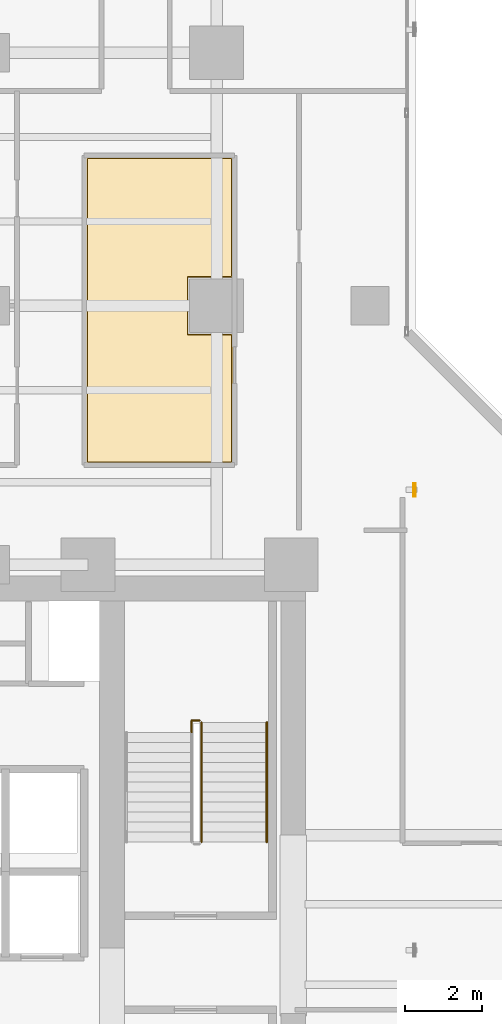
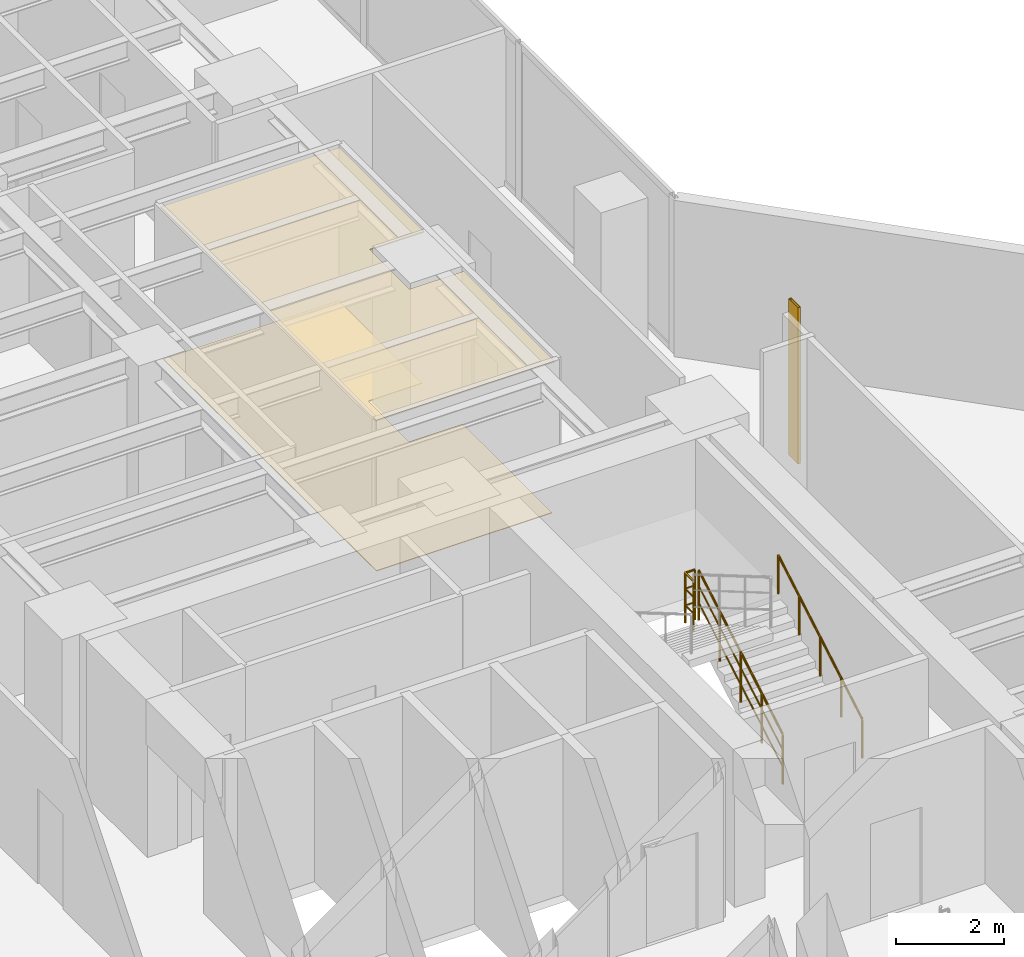
# One storey, part 25 of 27: 3 railings, 2 coverings, 1 shading device.
"""IFC4 building model written with IfcOpenShell, lengths in metres."""

from ifc_helpers import new_model, si_unit, direction, frame, origin, origin_2d, place, context, subcontext, project, spatial, polyline, hollow_rectangle, circle, outline, extrude, material, layer, layer_set, material_profile, profile_set, type_object, element, save


model = new_model("IFC4")

# Units and contexts
model_context = context("Model", 3, precision=1e-05, world=origin(), true_north=direction((0.0, 1.0)))
body_context = subcontext(model_context, "Body", "Model", "MODEL_VIEW")
ifc_project = project(units=[si_unit("LENGTHUNIT", "METRE"), si_unit("AREAUNIT", "SQUARE_METRE"), si_unit("VOLUMEUNIT", "CUBIC_METRE"), si_unit("PLANEANGLEUNIT", "RADIAN"), si_unit("MASSUNIT", "GRAM", prefix="KILO")], contexts=[model_context])

# Site, building, storey
site_placement = place(None, origin())
site = spatial("IfcSite", under=ifc_project, at=site_placement, CompositionType="ELEMENT")
building_placement = place(site_placement, origin())
building = spatial("IfcBuilding", under=site, at=building_placement, Name="Kolvaren Waterfront Exchange", CompositionType="ELEMENT")
storey_placement = place(building_placement, frame((0.0, 0.0, 118.300048828125)))
storey = spatial("IfcBuildingStorey", under=building, at=storey_placement, Name="L30", CompositionType="ELEMENT", Elevation=118.300048828125)

# Covering
ifc_material_1 = material(Name="Mineral fibre acoustic ceiling tile")
ifc_layer_1 = layer(ifc_material_1, 0.02490234375, Name="Mineral fibre acoustic ceiling tile")
ifc_layer_set_1 = layer_set([ifc_layer_1], Name="Mineral fibre acoustic ceiling tile")
covering_type_1 = type_object("IfcCoveringType", Name="ARC-CEIL-ACOUSTIC-25", PredefinedType="CEILING", material=ifc_layer_set_1)
covering_1_placement = place(storey_placement, frame((0.0, 0.0, 3.425048828125)))
element("IfcCovering", 1, at=covering_1_placement, inside=storey, type_object=covering_type_1, Name="L30 acoustic suspended ceiling 1", PredefinedType="CEILING", context=body_context, shape_type="SweptSolid", body=[
    extrude(outline(polyline([(19.22509765625, 30.4599609375), (18.06005859375, 30.4599609375), (18.06005859375, 31.93994140625), (19.22509765625, 31.93994140625), (19.22509765625, 35.074951171875), (15.39501953125, 35.074951171875), (15.39501953125, 27.094970703125), (19.22509765625, 27.094970703125), (19.22509765625, 30.4599609375)])), origin(), (0.0, 0.0, 1.0), 0.02490234375),
])

# Shading device
ifc_material_2 = material(Name="Anodised bronze aluminium 6063-T6", Category="aluminium")
ifc_material_profile = material_profile(ifc_material_2, hollow_rectangle(XDim=0.06005859375, YDim=0.35009765625, WallThickness=0.0048828125, at=origin_2d()), Name="BRZ-FIN-350x60x5")
ifc_profile_set = profile_set([ifc_material_profile], Name="Anodised bronze aluminium 6063-T6")
shading_device_type = type_object("IfcShadingDeviceType", Name="ARC-FIN-350", PredefinedType="USERDEFINED", material=ifc_profile_set)
shading_device_placement = place(storey_placement, frame((23.9599609375, 26.39990234375, 0.0), z_axis=(0.0, 0.0, 1.0), x_axis=(1.0, 0.0, 0.0)))
element("IfcShadingDevice", 2, at=shading_device_placement, inside=storey, type_object=shading_device_type, Name="L30 anodised bronze solar shading fin FIN-L30-E2", ObjectType="SOLAR FIN", PredefinedType="USERDEFINED", context=body_context, shape_type="SweptSolid", body=[
    extrude(hollow_rectangle(XDim=0.06005859375, YDim=0.35009765625, WallThickness=0.0048828125, at=origin_2d()), origin(), (0.0, 0.0, 1.0), 3.5400390625),
])

# Covering
ifc_material_3 = material(Name="Slip-resistant porcelain tile")
ifc_layer_2 = layer(ifc_material_3, 0.014892578125, Name="Slip-resistant porcelain tile")
ifc_layer_set_2 = layer_set([ifc_layer_2], Name="Slip-resistant porcelain tile")
covering_type_2 = type_object("IfcCoveringType", Name="ARC-FLR-PORC-15", PredefinedType="FLOORING", material=ifc_layer_set_2)
covering_2_placement = place(storey_placement, origin())
element("IfcCovering", 3, at=covering_2_placement, inside=storey, type_object=covering_type_2, Name="L30 floor finish 1", PredefinedType="FLOORING", context=body_context, shape_type="SweptSolid", body=[
    extrude(outline(polyline([(15.429931640625, 35.0400390625), (15.429931640625, 27.1298828125), (19.18994140625, 27.1298828125), (19.18994140625, 30.43994140625), (18.0400390625, 30.43994140625), (18.0400390625, 31.9599609375), (19.18994140625, 31.9599609375), (19.18994140625, 35.0400390625), (15.429931640625, 35.0400390625)])), origin(), (0.0, 0.0, 1.0), 0.014892578125),
])

# Railings
ifc_material_4 = material(Name="Stainless steel 316", Category="steel")
railing_type_1 = type_object("IfcRailingType", Name="ARC-GUARD-STAIR", PredefinedType="GUARDRAIL", material=ifc_material_4)
railing_1_placement = place(storey_placement, frame((18.409912109375, 17.219970703125, 0.15185546875)))
element("IfcRailing", 4, at=railing_1_placement, inside=storey, type_object=railing_type_1, Name="L30 ST2 stair guard 1", PredefinedType="GUARDRAIL", context=body_context, shape_type="SweptSolid", body=[
    extrude(circle(Radius=0.02392578125, at=origin_2d()), frame((0.0, 0.0, 1.1259765625), z_axis=(0.0, 0.86330811405, 0.504677223793), x_axis=(-1.0, 0.0, 0.0)), (0.0, 0.0, 1.0), 3.6142578125),
    extrude(circle(Radius=0.01611328125, at=origin_2d()), frame((0.0, 0.0, 0.390869140625), z_axis=(0.0, 0.86330811405, 0.504677223793), x_axis=(-1.0, 0.0, 0.0)), (0.0, 0.0, 1.0), 3.6142578125),
    extrude(circle(Radius=0.01611328125, at=origin_2d()), frame((0.0, 0.0, 0.7705078125), z_axis=(0.0, 0.86330811405, 0.504677223793), x_axis=(-1.0, 0.0, 0.0)), (0.0, 0.0, 1.0), 3.6142578125),
    extrude(circle(Radius=0.02099609375, at=origin_2d()), origin(), (0.0, 0.0, 1.0), 1.101806640625),
    extrude(circle(Radius=0.02099609375, at=origin_2d()), frame((0.0, 0.780029296875, 0.4560546875)), (0.0, 0.0, 1.0), 1.101806640625),
    extrude(circle(Radius=0.02099609375, at=origin_2d()), frame((0.0, 1.56005859375, 0.912109375)), (0.0, 0.0, 1.0), 1.101806640625),
    extrude(circle(Radius=0.02099609375, at=origin_2d()), frame((0.0, 2.340087890625, 1.367919921875)), (0.0, 0.0, 1.0), 1.101806640625),
    extrude(circle(Radius=0.02099609375, at=origin_2d()), frame((0.0, 3.1201171875, 1.823974609375)), (0.0, 0.0, 1.0), 1.101806640625),
])
railing_2_placement = place(storey_placement, frame((18.360107421875, 20.389892578125, 1.975830078125)))
element("IfcRailing", 5, at=railing_2_placement, inside=storey, type_object=railing_type_1, Name="L30 ST2 stair guard 2", PredefinedType="GUARDRAIL", context=body_context, shape_type="SweptSolid", body=[
    extrude(circle(Radius=0.02392578125, at=origin_2d()), frame((0.0, 0.0, 1.1259765625), z_axis=(-1.0, 0.0, 0.0), x_axis=(0.0, -1.0, 0.0)), (0.0, 0.0, 1.0), 0.210205078125),
    extrude(circle(Radius=0.01611328125, at=origin_2d()), frame((0.0, 0.0, 0.390869140625), z_axis=(-1.0, 0.0, 0.0), x_axis=(0.0, -1.0, 0.0)), (0.0, 0.0, 1.0), 0.210205078125),
    extrude(circle(Radius=0.01611328125, at=origin_2d()), frame((0.0, 0.0, 0.7705078125), z_axis=(-1.0, 0.0, 0.0), x_axis=(0.0, -1.0, 0.0)), (0.0, 0.0, 1.0), 0.210205078125),
    extrude(circle(Radius=0.02392578125, at=origin_2d()), frame((-0.210205078125, 0.0, 1.1259765625), z_axis=(0.0, -1.0, 0.0), x_axis=(1.0, 0.0, 0.0)), (0.0, 0.0, 1.0), 0.309814453125),
    extrude(circle(Radius=0.01611328125, at=origin_2d()), frame((-0.210205078125, 0.0, 0.390869140625), z_axis=(0.0, -1.0, 0.0), x_axis=(1.0, 0.0, 0.0)), (0.0, 0.0, 1.0), 0.309814453125),
    extrude(circle(Radius=0.01611328125, at=origin_2d()), frame((-0.210205078125, 0.0, 0.7705078125), z_axis=(0.0, -1.0, 0.0), x_axis=(1.0, 0.0, 0.0)), (0.0, 0.0, 1.0), 0.309814453125),
    extrude(circle(Radius=0.02099609375, at=origin_2d()), origin(), (0.0, 0.0, 1.0), 1.101806640625),
    extrude(circle(Radius=0.02099609375, at=origin_2d()), frame((-0.210205078125, 0.0, 0.0)), (0.0, 0.0, 1.0), 1.101806640625),
    extrude(circle(Radius=0.02099609375, at=origin_2d()), frame((-0.210205078125, -0.309814453125, 0.0)), (0.0, 0.0, 1.0), 1.101806640625),
])
railing_type_2 = type_object("IfcRailingType", Name="ARC-HANDRAIL-900", PredefinedType="HANDRAIL", material=ifc_material_4)
railing_3_placement = place(storey_placement, frame((20.110107421875, 17.219970703125, 0.15185546875)))
element("IfcRailing", 6, at=railing_3_placement, inside=storey, type_object=railing_type_2, Name="L30 ST2 stair handrail 1", PredefinedType="HANDRAIL", context=body_context, shape_type="SweptSolid", body=[
    extrude(circle(Radius=0.02392578125, at=origin_2d()), frame((0.0, 0.0, 0.8759765625), z_axis=(0.0, 0.86330811405, 0.504677223793), x_axis=(-1.0, 0.0, 0.0)), (0.0, 0.0, 1.0), 3.6142578125),
    extrude(circle(Radius=0.02099609375, at=origin_2d()), origin(), (0.0, 0.0, 1.0), 0.851806640625),
    extrude(circle(Radius=0.02099609375, at=origin_2d()), frame((0.0, 0.780029296875, 0.4560546875)), (0.0, 0.0, 1.0), 0.851806640625),
    extrude(circle(Radius=0.02099609375, at=origin_2d()), frame((0.0, 1.56005859375, 0.912109375)), (0.0, 0.0, 1.0), 0.851806640625),
    extrude(circle(Radius=0.02099609375, at=origin_2d()), frame((0.0, 2.340087890625, 1.367919921875)), (0.0, 0.0, 1.0), 0.851806640625),
    extrude(circle(Radius=0.02099609375, at=origin_2d()), frame((0.0, 3.1201171875, 1.823974609375)), (0.0, 0.0, 1.0), 0.851806640625),
])

save(model, "model.ifc")
